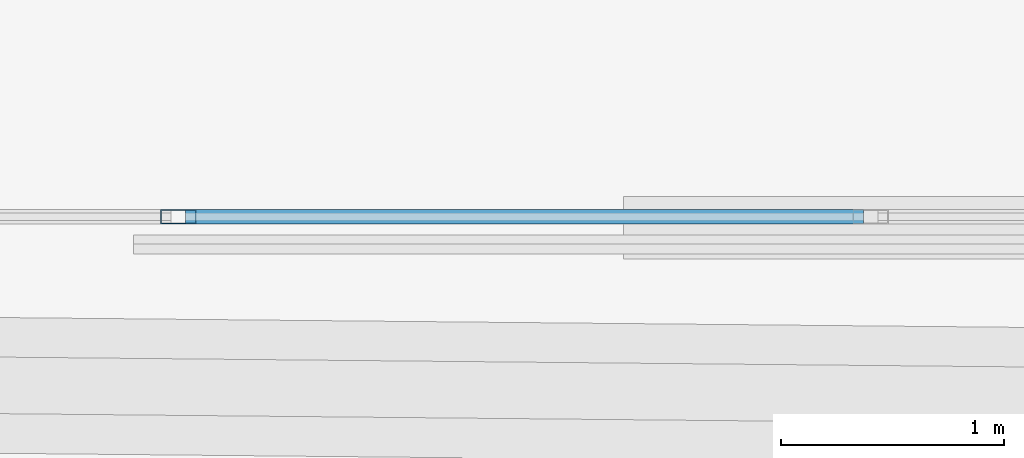
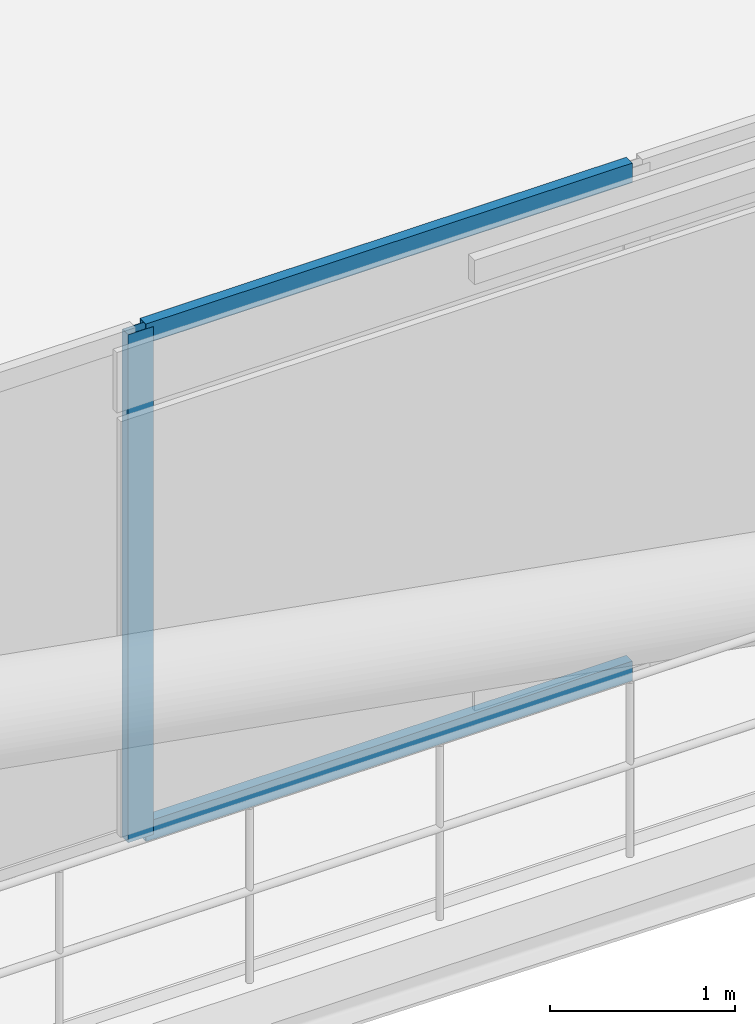
# One storey, part 11 of 34: 3 members, 1 element without a shape of its own.
"""IFC4 building model written with IfcOpenShell, lengths in metres."""

import ifcopenshell
import ifcopenshell.guid

model = None  # the IFC model being written
_history = None  # IfcOwnerHistory: only IFC2X3 demands one
_inside = {}  # id of a spatial element -> (the spatial element, [elements in it])
_under = {}  # id of a project, library or spatial element -> (it, [spatial elements below it])
_declared = {}  # id of a project -> (the project, [libraries it declares])
_typed = {}  # id of a type object -> (the type object, [elements of that type])
_made_of = {}  # id of a material, layer set ... -> (it, [elements and type objects made of it])


def new_model(schema):
    """Start an empty IFC model of exactly this schema.

    Asked for "IFC4X3", IfcOpenShell would pick the latest addendum, in which some entities
    have other attributes; the version numbers below select the first issue.
    IFC2X3 requires an IfcOwnerHistory on every rooted entity: one is made here for all.
    """
    global model, _history
    if schema == "IFC4X3":
        model = ifcopenshell.file(schema_version=(4, 3, 0, 0))
    else:
        model = ifcopenshell.file(schema=schema)
    _inside.clear()
    _under.clear()
    _declared.clear()
    _typed.clear()
    _made_of.clear()
    _history = None
    if model.schema == "IFC2X3":
        org = make("IfcOrganization", Name="unknown")
        user = make(
            "IfcPersonAndOrganization",
            ThePerson=make("IfcPerson", FamilyName="unknown"),
            TheOrganization=org,
        )
        app = make(
            "IfcApplication",
            ApplicationDeveloper=org,
            Version="unknown",
            ApplicationFullName="unknown",
            ApplicationIdentifier="unknown",
        )
        _history = make(
            "IfcOwnerHistory",
            OwningUser=user,
            OwningApplication=app,
            ChangeAction="ADDED",
            CreationDate=0,
        )
    return model


def make(cls, **values):
    """One entity of the class cls with the attributes given. An attribute that is None is left unset."""
    return model.create_entity(
        cls, **{name: value for name, value in values.items() if value is not None}
    )


def rooted(cls, **values):
    """An entity with a GlobalId (a new one), such as an element, a storey or a relation."""
    return make(cls, GlobalId=ifcopenshell.guid.new(), OwnerHistory=_history, **values)


def si_unit(unit_type, name, prefix=None):
    """IfcSIUnit, for example si_unit("LENGTHUNIT", "METRE", prefix="MILLI")."""
    return make("IfcSIUnit", UnitType=unit_type, Prefix=prefix, Name=name)


def assignment(units):
    """IfcUnitAssignment: the units of a project."""
    return None if units is None else make("IfcUnitAssignment", Units=units)


def point(xyz):
    """IfcCartesianPoint."""
    return None if xyz is None else make("IfcCartesianPoint", Coordinates=xyz)


def direction(xyz):
    """IfcDirection."""
    return None if xyz is None else make("IfcDirection", DirectionRatios=xyz)


def frame(location, z_axis=None, x_axis=None):
    """IfcAxis2Placement3D, a coordinate frame: its origin and axes. An axis left out is left unset."""
    return make(
        "IfcAxis2Placement3D",
        Location=point(location),
        Axis=direction(z_axis),
        RefDirection=direction(x_axis),
    )


def frame_2d(location, x_axis=None):
    """IfcAxis2Placement2D, a coordinate frame in the plane: its origin and x axis."""
    return make(
        "IfcAxis2Placement2D", Location=point(location), RefDirection=direction(x_axis)
    )


def origin():
    """The frame at (0, 0, 0) with its axes left unset."""
    return frame((0.0, 0.0, 0.0))


def origin_2d():
    """The frame at (0, 0) in the plane with its x axis left unset."""
    return frame_2d((0.0, 0.0))


def place(relative_to, where):
    """IfcLocalPlacement: puts the frame where relative to a parent placement (None: the world)."""
    return make(
        "IfcLocalPlacement", PlacementRelTo=relative_to, RelativePlacement=where
    )


def context(
    kind, dimensions, precision=None, world=None, true_north=None, identifier=None
):
    """IfcGeometricRepresentationContext, for example the 3D "Model" context."""
    return make(
        "IfcGeometricRepresentationContext",
        ContextIdentifier=identifier,
        ContextType=kind,
        CoordinateSpaceDimension=dimensions,
        Precision=precision,
        WorldCoordinateSystem=world,
        TrueNorth=true_north,
    )


def subcontext(parent, identifier, kind, view, scale=None):
    """IfcGeometricRepresentationSubContext, for example "Body" below "Model"."""
    return make(
        "IfcGeometricRepresentationSubContext",
        ContextIdentifier=identifier,
        ContextType=kind,
        ParentContext=parent,
        TargetScale=scale,
        TargetView=view,
    )


def project(units=None, contexts=None):
    """IfcProject with its units and contexts."""
    return rooted(
        "IfcProject",
        Name="project",
        RepresentationContexts=contexts,
        UnitsInContext=assignment(units),
    )


def spatial(cls, under=None, at=None, **own):
    """A site, building, storey or space (cls), placed at a placement, below another one or the project."""
    s = rooted(cls, ObjectPlacement=at, **own)
    if under is not None:
        _under.setdefault(under.id(), (under, []))[1].append(s)
    return s


def profile(cls, at=None, kind="AREA", **sizes):
    """A parametric profile (cls). Its sizes go by their IFC names, for example OverallWidth=200.0."""
    return make(cls, ProfileType=kind, Position=at, **sizes)


def hollow_rectangle(**sizes):
    """IfcRectangleHollowProfileDef."""
    return profile("IfcRectangleHollowProfileDef", **sizes)


def extrude(swept, where, along, depth):
    """IfcExtrudedAreaSolid: the profile swept, set in the frame where, extruded along a direction by depth."""
    return make(
        "IfcExtrudedAreaSolid",
        SweptArea=swept,
        Position=where,
        ExtrudedDirection=direction(along),
        Depth=depth,
    )


def shape(context_of_items, identifier, shape_type, items):
    """IfcShapeRepresentation: the items that make up one representation, for example the "Body"."""
    return make(
        "IfcShapeRepresentation",
        ContextOfItems=context_of_items,
        RepresentationIdentifier=identifier,
        RepresentationType=shape_type,
        Items=items,
    )


def material(Name=None, Category=None):
    """IfcMaterial."""
    return make("IfcMaterial", Name=Name, Category=Category)


def layer(
    of_material, thickness, ventilated=None, Name=None, Category=None, Priority=None
):
    """IfcMaterialLayer: one layer of a wall or slab, of a material (None: an air gap)."""
    return make(
        "IfcMaterialLayer",
        Material=of_material,
        LayerThickness=thickness,
        IsVentilated=ventilated,
        Name=Name,
        Category=Category,
        Priority=Priority,
    )


def layer_set(layers, Name=None):
    """IfcMaterialLayerSet."""
    return make("IfcMaterialLayerSet", MaterialLayers=layers, LayerSetName=Name)


def material_profile(
    of_material, cross_section, Name=None, Category=None, Priority=None
):
    """IfcMaterialProfile: a cross section and its material."""
    return make(
        "IfcMaterialProfile",
        Name=Name,
        Material=of_material,
        Profile=cross_section,
        Priority=Priority,
        Category=Category,
    )


def profile_set(profiles, Name=None, composite=None):
    """IfcMaterialProfileSet."""
    return make(
        "IfcMaterialProfileSet",
        Name=Name,
        MaterialProfiles=profiles,
        CompositeProfile=composite,
    )


def made_of(thing, what):
    """Note that an element or type object is made of a material, layer set ...; save() writes the relation."""
    if what is not None:
        _made_of.setdefault(what.id(), (what, []))[1].append(thing)
    return thing


def type_object(cls, material=None, **own):
    """A type object (cls), such as IfcWallType, which elements share."""
    return made_of(rooted(cls, **own), material)


def element(
    cls,
    number,
    at=None,
    inside=None,
    cuts=None,
    type_object=None,
    material=None,
    context=None,
    identifier="Body",
    shape_type=None,
    held_by="IfcProductDefinitionShape",
    body=None,
    shapes=None,
    **own,
):
    """One element of the class cls, such as IfcWall. Its Tag is "e" and its number.

    at: its placement. inside: the storey or other place that contains it. cuts: it is an
    opening in that element (IfcRelVoidsElement). A single representation is given by context,
    identifier, shape_type and body (its items); several are given by shapes. held_by: the class
    of the entity that holds the representations. save() writes the other relations.
    """
    e = rooted(cls, Tag="e%d" % number, ObjectPlacement=at, **own)
    if body is not None:
        shapes = [shape(context, identifier, shape_type, body)]
    if shapes is not None:
        e.Representation = make(held_by, Representations=shapes)
    if inside is not None:
        _inside.setdefault(inside.id(), (inside, []))[1].append(e)
    if cuts is not None:
        rooted(
            "IfcRelVoidsElement", RelatingBuildingElement=cuts, RelatedOpeningElement=e
        )
    if type_object is not None:
        _typed.setdefault(type_object.id(), (type_object, []))[1].append(e)
    return made_of(e, material)


def aggregate(whole, parts):
    """IfcRelAggregates: a whole, such as a stair, and the parts it consists of."""
    return rooted("IfcRelAggregates", RelatingObject=whole, RelatedObjects=parts)


def save(model, path):
    """Write the relations noted so far, then the file.

    IfcRelAggregates (storeys below a building ...), IfcRelContainedInSpatialStructure (elements
    in a storey), IfcRelDefinesByType, IfcRelAssociatesMaterial and IfcRelDeclares: one each for
    every whole, place, type object, material and project.
    """
    for whole, parts in _under.values():
        aggregate(whole, parts)
    for where, things in _inside.values():
        rooted(
            "IfcRelContainedInSpatialStructure",
            RelatedElements=things,
            RelatingStructure=where,
        )
    for kind, things in _typed.values():
        rooted("IfcRelDefinesByType", RelatedObjects=things, RelatingType=kind)
    for what, things in _made_of.values():
        rooted("IfcRelAssociatesMaterial", RelatedObjects=things, RelatingMaterial=what)
    for by, libraries in _declared.values():
        rooted("IfcRelDeclares", RelatingContext=by, RelatedDefinitions=libraries)
    model.write(path)


model = new_model("IFC4")

# Units and contexts
model_context = context("Model", 3, precision=1e-05, world=origin(), true_north=direction((0.0, 1.0)))
body_context = subcontext(model_context, "Body", "Model", "MODEL_VIEW")
ifc_project = project(units=[si_unit("LENGTHUNIT", "METRE"), si_unit("AREAUNIT", "SQUARE_METRE"), si_unit("VOLUMEUNIT", "CUBIC_METRE"), si_unit("PLANEANGLEUNIT", "RADIAN"), si_unit("MASSUNIT", "GRAM", prefix="KILO")], contexts=[model_context])

# Site, building, storey
site_placement = place(None, origin())
site = spatial("IfcSite", under=ifc_project, at=site_placement, CompositionType="ELEMENT")
building_placement = place(site_placement, origin())
building = spatial("IfcBuilding", under=site, at=building_placement, Name="Caelvoria Tower", CompositionType="ELEMENT")
storey_placement = place(building_placement, frame((0.0, 0.0, 28.0)))
storey = spatial("IfcBuildingStorey", under=building, at=storey_placement, Name="L06", CompositionType="ELEMENT", Elevation=28.0)

# Curtain wall, members
ifc_material_1 = material(Name="Anodised Bronze Aluminium and Low-E Glass", Category="aluminium")
ifc_layer = layer(ifc_material_1, 0.18505859375, Name="Anodised Bronze Aluminium and Low-E Glass")
ifc_layer_set = layer_set([ifc_layer], Name="CW System 2 Lower Tower Bronze Unitised Facade - Anodised Bronze Aluminium and Low-E Glass")
curtain_wall_type = type_object("IfcCurtainWallType", Name="CW System 2 Lower Tower Bronze Unitised Facade", PredefinedType="NOTDEFINED", material=ifc_layer_set)
curtain_wall_placement = place(storey_placement, origin())
curtain_wall = element("IfcCurtainWall", 1, at=curtain_wall_placement, inside=storey, type_object=curtain_wall_type, Name="CW-02 Curtain Wall L06-E0", PredefinedType="NOTDEFINED")
ifc_material_2 = material(Name="Anodised Bronze Architectural Aluminium", Category="aluminium")
ifc_material_profile_1 = material_profile(ifc_material_2, hollow_rectangle(XDim=0.06494140625, YDim=0.159912109375, WallThickness=0.00390625, at=origin_2d()), Name="Anodised Bronze Architectural Aluminium")
ifc_profile_set_1 = profile_set([ifc_material_profile_1], Name="CW_MULL_65X160 - Anodised Bronze Architectural Aluminium")
member_type_1 = type_object("IfcMemberType", Name="Curtain Wall Mullion 65x160 Bronze Aluminium", PredefinedType="MULLION", material=ifc_profile_set_1)
member_1_placement = place(storey_placement, frame((56.876953125, 11.3798828125, 0.0), z_axis=(0.0, 0.0, 1.0), x_axis=(0.0, 1.0, 0.0)))
member_1 = element("IfcMember", 2, at=member_1_placement, type_object=member_type_1, Name="CW-02 mullion 11", PredefinedType="MULLION", context=body_context, shape_type="SweptSolid", body=[
    extrude(hollow_rectangle(XDim=0.06494140625, YDim=0.159912109375, WallThickness=0.00390625, at=origin_2d()), origin(), (0.0, 0.0, 1.0), 3.360107421875),
])
ifc_material_profile_2 = material_profile(ifc_material_2, hollow_rectangle(XDim=0.06494140625, YDim=0.1298828125, WallThickness=0.00341796875, at=origin_2d()), Name="Anodised Bronze Architectural Aluminium")
ifc_profile_set_2 = profile_set([ifc_material_profile_2], Name="CW_TRAN_65X130 - Anodised Bronze Architectural Aluminium")
member_type_2 = type_object("IfcMemberType", Name="Curtain Wall Transom 65x130 Bronze Aluminium", PredefinedType="USERDEFINED", material=ifc_profile_set_2)
member_2_placement = place(storey_placement, frame((56.909423828125, 11.3798828125, 0.032470703125), z_axis=(1.0, 0.0, 0.0), x_axis=(0.0, 1.0, 0.0)))
member_2 = element("IfcMember", 3, at=member_2_placement, type_object=member_type_2, Name="CW-02 transom 11.1", ObjectType="TRANSOM", PredefinedType="USERDEFINED", context=body_context, shape_type="SweptSolid", body=[
    extrude(hollow_rectangle(XDim=0.06494140625, YDim=0.1298828125, WallThickness=0.00341796875, at=origin_2d()), origin(), (0.0, 0.0, 1.0), 3.042724609375),
])
member_3_placement = place(storey_placement, frame((56.909423828125, 11.3798828125, 3.327392578125), z_axis=(1.0, 0.0, 0.0), x_axis=(0.0, 1.0, 0.0)))
member_3 = element("IfcMember", 4, at=member_3_placement, type_object=member_type_2, Name="CW-02 transom 11.2", ObjectType="TRANSOM", PredefinedType="USERDEFINED", context=body_context, shape_type="SweptSolid", body=[
    extrude(hollow_rectangle(XDim=0.06494140625, YDim=0.1298828125, WallThickness=0.00341796875, at=origin_2d()), origin(), (0.0, 0.0, 1.0), 3.042724609375),
])
aggregate(curtain_wall, [member_1, member_2, member_3])

save(model, "model.ifc")
